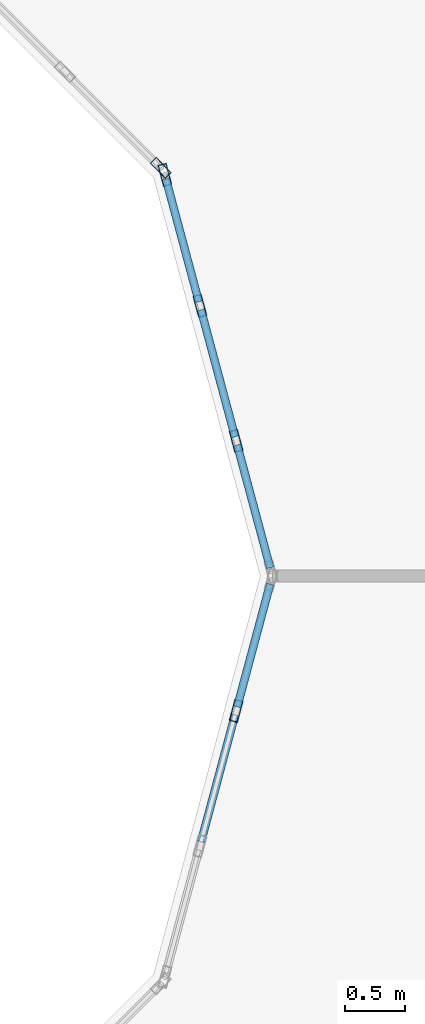
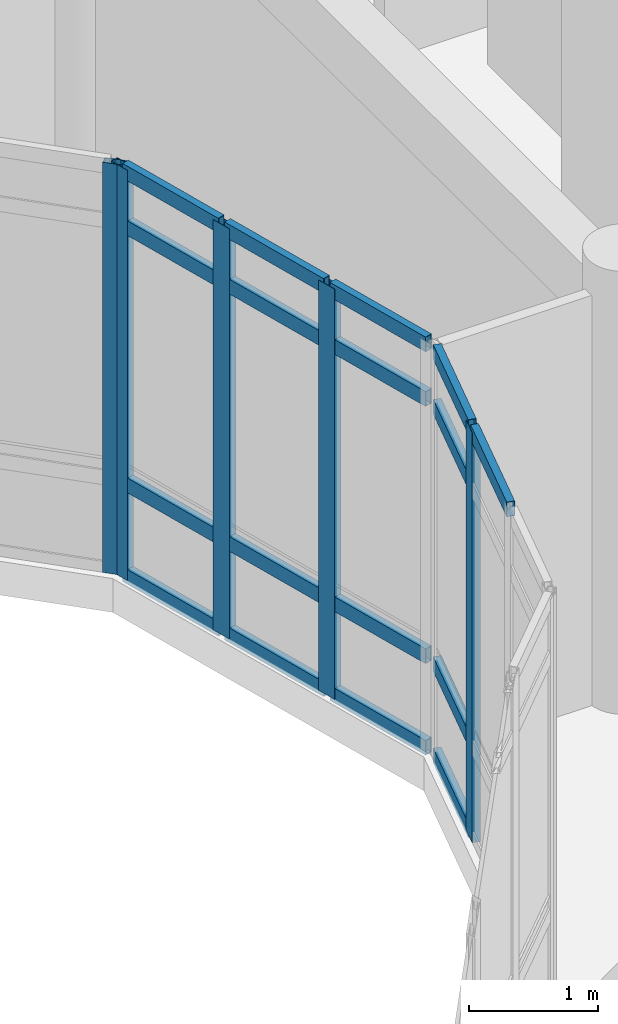
# One storey, part 21 of 119: 22 members, 3 elements without a shape of their own.
"""IFC4 building model written with IfcOpenShell, lengths in metres."""

import ifcopenshell
import ifcopenshell.guid

model = None  # the IFC model being written
_history = None  # IfcOwnerHistory: only IFC2X3 demands one
_inside = {}  # id of a spatial element -> (the spatial element, [elements in it])
_under = {}  # id of a project, library or spatial element -> (it, [spatial elements below it])
_declared = {}  # id of a project -> (the project, [libraries it declares])
_typed = {}  # id of a type object -> (the type object, [elements of that type])
_made_of = {}  # id of a material, layer set ... -> (it, [elements and type objects made of it])


def new_model(schema):
    """Start an empty IFC model of exactly this schema.

    Asked for "IFC4X3", IfcOpenShell would pick the latest addendum, in which some entities
    have other attributes; the version numbers below select the first issue.
    IFC2X3 requires an IfcOwnerHistory on every rooted entity: one is made here for all.
    """
    global model, _history
    if schema == "IFC4X3":
        model = ifcopenshell.file(schema_version=(4, 3, 0, 0))
    else:
        model = ifcopenshell.file(schema=schema)
    _inside.clear()
    _under.clear()
    _declared.clear()
    _typed.clear()
    _made_of.clear()
    _history = None
    if model.schema == "IFC2X3":
        org = make("IfcOrganization", Name="unknown")
        user = make(
            "IfcPersonAndOrganization",
            ThePerson=make("IfcPerson", FamilyName="unknown"),
            TheOrganization=org,
        )
        app = make(
            "IfcApplication",
            ApplicationDeveloper=org,
            Version="unknown",
            ApplicationFullName="unknown",
            ApplicationIdentifier="unknown",
        )
        _history = make(
            "IfcOwnerHistory",
            OwningUser=user,
            OwningApplication=app,
            ChangeAction="ADDED",
            CreationDate=0,
        )
    return model


def make(cls, **values):
    """One entity of the class cls with the attributes given. An attribute that is None is left unset."""
    return model.create_entity(
        cls, **{name: value for name, value in values.items() if value is not None}
    )


def rooted(cls, **values):
    """An entity with a GlobalId (a new one), such as an element, a storey or a relation."""
    return make(cls, GlobalId=ifcopenshell.guid.new(), OwnerHistory=_history, **values)


def si_unit(unit_type, name, prefix=None):
    """IfcSIUnit, for example si_unit("LENGTHUNIT", "METRE", prefix="MILLI")."""
    return make("IfcSIUnit", UnitType=unit_type, Prefix=prefix, Name=name)


def assignment(units):
    """IfcUnitAssignment: the units of a project."""
    return None if units is None else make("IfcUnitAssignment", Units=units)


def point(xyz):
    """IfcCartesianPoint."""
    return None if xyz is None else make("IfcCartesianPoint", Coordinates=xyz)


def direction(xyz):
    """IfcDirection."""
    return None if xyz is None else make("IfcDirection", DirectionRatios=xyz)


def frame(location, z_axis=None, x_axis=None):
    """IfcAxis2Placement3D, a coordinate frame: its origin and axes. An axis left out is left unset."""
    return make(
        "IfcAxis2Placement3D",
        Location=point(location),
        Axis=direction(z_axis),
        RefDirection=direction(x_axis),
    )


def frame_2d(location, x_axis=None):
    """IfcAxis2Placement2D, a coordinate frame in the plane: its origin and x axis."""
    return make(
        "IfcAxis2Placement2D", Location=point(location), RefDirection=direction(x_axis)
    )


def origin():
    """The frame at (0, 0, 0) with its axes left unset."""
    return frame((0.0, 0.0, 0.0))


def origin_2d():
    """The frame at (0, 0) in the plane with its x axis left unset."""
    return frame_2d((0.0, 0.0))


def place(relative_to, where):
    """IfcLocalPlacement: puts the frame where relative to a parent placement (None: the world)."""
    return make(
        "IfcLocalPlacement", PlacementRelTo=relative_to, RelativePlacement=where
    )


def context(
    kind, dimensions, precision=None, world=None, true_north=None, identifier=None
):
    """IfcGeometricRepresentationContext, for example the 3D "Model" context."""
    return make(
        "IfcGeometricRepresentationContext",
        ContextIdentifier=identifier,
        ContextType=kind,
        CoordinateSpaceDimension=dimensions,
        Precision=precision,
        WorldCoordinateSystem=world,
        TrueNorth=true_north,
    )


def subcontext(parent, identifier, kind, view, scale=None):
    """IfcGeometricRepresentationSubContext, for example "Body" below "Model"."""
    return make(
        "IfcGeometricRepresentationSubContext",
        ContextIdentifier=identifier,
        ContextType=kind,
        ParentContext=parent,
        TargetScale=scale,
        TargetView=view,
    )


def project(units=None, contexts=None):
    """IfcProject with its units and contexts."""
    return rooted(
        "IfcProject",
        Name="project",
        RepresentationContexts=contexts,
        UnitsInContext=assignment(units),
    )


def spatial(cls, under=None, at=None, **own):
    """A site, building, storey or space (cls), placed at a placement, below another one or the project."""
    s = rooted(cls, ObjectPlacement=at, **own)
    if under is not None:
        _under.setdefault(under.id(), (under, []))[1].append(s)
    return s


def profile(cls, at=None, kind="AREA", **sizes):
    """A parametric profile (cls). Its sizes go by their IFC names, for example OverallWidth=200.0."""
    return make(cls, ProfileType=kind, Position=at, **sizes)


def hollow_rectangle(**sizes):
    """IfcRectangleHollowProfileDef."""
    return profile("IfcRectangleHollowProfileDef", **sizes)


def extrude(swept, where, along, depth):
    """IfcExtrudedAreaSolid: the profile swept, set in the frame where, extruded along a direction by depth."""
    return make(
        "IfcExtrudedAreaSolid",
        SweptArea=swept,
        Position=where,
        ExtrudedDirection=direction(along),
        Depth=depth,
    )


def shape(context_of_items, identifier, shape_type, items):
    """IfcShapeRepresentation: the items that make up one representation, for example the "Body"."""
    return make(
        "IfcShapeRepresentation",
        ContextOfItems=context_of_items,
        RepresentationIdentifier=identifier,
        RepresentationType=shape_type,
        Items=items,
    )


def material(Name=None, Category=None):
    """IfcMaterial."""
    return make("IfcMaterial", Name=Name, Category=Category)


def layer(
    of_material, thickness, ventilated=None, Name=None, Category=None, Priority=None
):
    """IfcMaterialLayer: one layer of a wall or slab, of a material (None: an air gap)."""
    return make(
        "IfcMaterialLayer",
        Material=of_material,
        LayerThickness=thickness,
        IsVentilated=ventilated,
        Name=Name,
        Category=Category,
        Priority=Priority,
    )


def layer_set(layers, Name=None):
    """IfcMaterialLayerSet."""
    return make("IfcMaterialLayerSet", MaterialLayers=layers, LayerSetName=Name)


def material_profile(
    of_material, cross_section, Name=None, Category=None, Priority=None
):
    """IfcMaterialProfile: a cross section and its material."""
    return make(
        "IfcMaterialProfile",
        Name=Name,
        Material=of_material,
        Profile=cross_section,
        Priority=Priority,
        Category=Category,
    )


def profile_set(profiles, Name=None, composite=None):
    """IfcMaterialProfileSet."""
    return make(
        "IfcMaterialProfileSet",
        Name=Name,
        MaterialProfiles=profiles,
        CompositeProfile=composite,
    )


def made_of(thing, what):
    """Note that an element or type object is made of a material, layer set ...; save() writes the relation."""
    if what is not None:
        _made_of.setdefault(what.id(), (what, []))[1].append(thing)
    return thing


def type_object(cls, material=None, **own):
    """A type object (cls), such as IfcWallType, which elements share."""
    return made_of(rooted(cls, **own), material)


def element(
    cls,
    number,
    at=None,
    inside=None,
    cuts=None,
    type_object=None,
    material=None,
    context=None,
    identifier="Body",
    shape_type=None,
    held_by="IfcProductDefinitionShape",
    body=None,
    shapes=None,
    **own,
):
    """One element of the class cls, such as IfcWall. Its Tag is "e" and its number.

    at: its placement. inside: the storey or other place that contains it. cuts: it is an
    opening in that element (IfcRelVoidsElement). A single representation is given by context,
    identifier, shape_type and body (its items); several are given by shapes. held_by: the class
    of the entity that holds the representations. save() writes the other relations.
    """
    e = rooted(cls, Tag="e%d" % number, ObjectPlacement=at, **own)
    if body is not None:
        shapes = [shape(context, identifier, shape_type, body)]
    if shapes is not None:
        e.Representation = make(held_by, Representations=shapes)
    if inside is not None:
        _inside.setdefault(inside.id(), (inside, []))[1].append(e)
    if cuts is not None:
        rooted(
            "IfcRelVoidsElement", RelatingBuildingElement=cuts, RelatedOpeningElement=e
        )
    if type_object is not None:
        _typed.setdefault(type_object.id(), (type_object, []))[1].append(e)
    return made_of(e, material)


def aggregate(whole, parts):
    """IfcRelAggregates: a whole, such as a stair, and the parts it consists of."""
    return rooted("IfcRelAggregates", RelatingObject=whole, RelatedObjects=parts)


def save(model, path):
    """Write the relations noted so far, then the file.

    IfcRelAggregates (storeys below a building ...), IfcRelContainedInSpatialStructure (elements
    in a storey), IfcRelDefinesByType, IfcRelAssociatesMaterial and IfcRelDeclares: one each for
    every whole, place, type object, material and project.
    """
    for whole, parts in _under.values():
        aggregate(whole, parts)
    for where, things in _inside.values():
        rooted(
            "IfcRelContainedInSpatialStructure",
            RelatedElements=things,
            RelatingStructure=where,
        )
    for kind, things in _typed.values():
        rooted("IfcRelDefinesByType", RelatedObjects=things, RelatingType=kind)
    for what, things in _made_of.values():
        rooted("IfcRelAssociatesMaterial", RelatedObjects=things, RelatingMaterial=what)
    for by, libraries in _declared.values():
        rooted("IfcRelDeclares", RelatingContext=by, RelatedDefinitions=libraries)
    model.write(path)


model = new_model("IFC4")

# Units and contexts
model_context = context("Model", 3, precision=1e-05, world=origin(), true_north=direction((0.0, 1.0)))
body_context = subcontext(model_context, "Body", "Model", "MODEL_VIEW")
ifc_project = project(units=[si_unit("LENGTHUNIT", "METRE"), si_unit("AREAUNIT", "SQUARE_METRE"), si_unit("VOLUMEUNIT", "CUBIC_METRE"), si_unit("PLANEANGLEUNIT", "RADIAN"), si_unit("MASSUNIT", "GRAM", prefix="KILO")], contexts=[model_context])

# Site, building, storey
site_placement = place(None, origin())
site = spatial("IfcSite", under=ifc_project, at=site_placement, CompositionType="ELEMENT")
building_placement = place(site_placement, origin())
building = spatial("IfcBuilding", under=site, at=building_placement, Name="Bramfleet General Hospital", CompositionType="ELEMENT")
storey_placement = place(building_placement, frame((0.0, 0.0, 14.39990234375)))
storey = spatial("IfcBuildingStorey", under=building, at=storey_placement, Name="L03", CompositionType="ELEMENT", Elevation=14.39990234375)

# Curtain wall, member
ifc_material_1 = material(Name="Anodised aluminium and low-E triple glazing", Category="aluminium")
ifc_layer_1 = layer(ifc_material_1, 0.179931640625, Name="CWT-CW-14")
ifc_layer_set_1 = layer_set([ifc_layer_1], Name="Anodised aluminium and low-E triple glazing")
curtain_wall_type_1 = type_object("IfcCurtainWallType", Name="CWT-CW-14", PredefinedType="USERDEFINED", material=ifc_layer_set_1)
curtain_wall_1_placement = place(storey_placement, origin())
curtain_wall_1 = element("IfcCurtainWall", 1, at=curtain_wall_1_placement, inside=storey, type_object=curtain_wall_type_1, Name="L03 West Clinical Light Court Curtain Wall 6.1", ObjectType="Stick curtain wall", PredefinedType="USERDEFINED")
ifc_material_2 = material(Name="Anodised aluminium EN AW-6060", Category="aluminium")
ifc_material_profile_1 = material_profile(ifc_material_2, hollow_rectangle(XDim=0.070068359375, YDim=0.179931640625, WallThickness=0.00390625, at=origin_2d()), Name="ALU 180x70x4.0")
ifc_profile_set_1 = profile_set([ifc_material_profile_1], Name="Anodised aluminium EN AW-6060")
member_type_1 = type_object("IfcMemberType", Name="CWM-ALU180", PredefinedType="MULLION", material=ifc_profile_set_1)
member_1_placement = place(storey_placement, frame((31.6005859375, 82.88330078125, 0.0), z_axis=(0.0, 0.0, 1.0), x_axis=(-0.965899136003, 0.25891863407, 0.0)))
member_1 = element("IfcMember", 2, at=member_1_placement, type_object=member_type_1, Name="CW-14 mullion 3", PredefinedType="MULLION", context=body_context, shape_type="SweptSolid", body=[
    extrude(hollow_rectangle(XDim=0.070068359375, YDim=0.179931640625, WallThickness=0.00390625, at=origin_2d()), origin(), (0.0, 0.0, 1.0), 3.89013671875),
])

# Curtain wall, members
ifc_layer_2 = layer(ifc_material_1, 0.179931640625, Name="CWT-CW-15")
ifc_layer_set_2 = layer_set([ifc_layer_2], Name="Anodised aluminium and low-E triple glazing")
curtain_wall_type_2 = type_object("IfcCurtainWallType", Name="CWT-CW-15", PredefinedType="USERDEFINED", material=ifc_layer_set_2)
curtain_wall_2_placement = place(storey_placement, origin())
curtain_wall_2 = element("IfcCurtainWall", 3, at=curtain_wall_2_placement, inside=storey, type_object=curtain_wall_type_2, Name="L03 West Clinical Light Court Curtain Wall 7.1", ObjectType="Stick curtain wall", PredefinedType="USERDEFINED")
member_2_placement = place(storey_placement, frame((31.6005859375, 85.11669921875, 0.0), z_axis=(0.0, 0.0, 1.0), x_axis=(-0.965899136003, -0.25891863407, 0.0)))
member_2 = element("IfcMember", 4, at=member_2_placement, type_object=member_type_1, Name="CW-15 mullion 2", PredefinedType="MULLION", context=body_context, shape_type="SweptSolid", body=[
    extrude(hollow_rectangle(XDim=0.070068359375, YDim=0.179931640625, WallThickness=0.00390625, at=origin_2d()), origin(), (0.0, 0.0, 1.0), 3.89013671875),
])
member_3_placement = place(storey_placement, frame((31.30126953125, 86.2333984375, 0.0), z_axis=(0.0, 0.0, 1.0), x_axis=(-0.965899136003, -0.25891863407, 0.0)))
member_3 = element("IfcMember", 5, at=member_3_placement, type_object=member_type_1, Name="CW-15 mullion 3", PredefinedType="MULLION", context=body_context, shape_type="SweptSolid", body=[
    extrude(hollow_rectangle(XDim=0.070068359375, YDim=0.179931640625, WallThickness=0.00390625, at=origin_2d()), origin(), (0.0, 0.0, 1.0), 3.89013671875),
])
member_4_placement = place(storey_placement, frame((31.010986328125, 87.316162109375, 0.0), z_axis=(0.0, 0.0, 1.0), x_axis=(-0.965899136003, -0.25891863407, 0.0)))
member_4 = element("IfcMember", 6, at=member_4_placement, type_object=member_type_1, Name="CW-15 mullion 4", PredefinedType="MULLION", context=body_context, shape_type="SweptSolid", body=[
    extrude(hollow_rectangle(XDim=0.070068359375, YDim=0.179931640625, WallThickness=0.00390625, at=origin_2d()), origin(), (0.0, 0.0, 1.0), 3.89013671875),
])

# Curtain wall, member
ifc_layer_3 = layer(ifc_material_1, 0.179931640625, Name="CWT-CW-16")
ifc_layer_set_3 = layer_set([ifc_layer_3], Name="Anodised aluminium and low-E triple glazing")
curtain_wall_type_3 = type_object("IfcCurtainWallType", Name="CWT-CW-16", PredefinedType="USERDEFINED", material=ifc_layer_set_3)
curtain_wall_3_placement = place(storey_placement, origin())
curtain_wall_3 = element("IfcCurtainWall", 7, at=curtain_wall_3_placement, inside=storey, type_object=curtain_wall_type_3, Name="L03 West Clinical Light Court Curtain Wall 8.1", ObjectType="Stick curtain wall", PredefinedType="USERDEFINED")
member_5_placement = place(storey_placement, frame((30.977294921875, 87.374755859375, 0.0), z_axis=(0.0, 0.0, 1.0), x_axis=(-0.707106781187, -0.707106781187, 0.0)))
member_5 = element("IfcMember", 8, at=member_5_placement, type_object=member_type_1, Name="CW-16 mullion 1", PredefinedType="MULLION", context=body_context, shape_type="SweptSolid", body=[
    extrude(hollow_rectangle(XDim=0.070068359375, YDim=0.179931640625, WallThickness=0.00390625, at=origin_2d()), origin(), (0.0, 0.0, 1.0), 3.89013671875),
])
aggregate(curtain_wall_3, [member_5])

# Member
ifc_material_profile_2 = material_profile(ifc_material_2, hollow_rectangle(XDim=0.06494140625, YDim=0.139892578125, WallThickness=0.00390625, at=origin_2d()), Name="ALU 140x65x4.0")
ifc_profile_set_2 = profile_set([ifc_material_profile_2], Name="Anodised aluminium EN AW-6060")
member_type_2 = type_object("IfcMemberType", Name="CWT-ALU140", PredefinedType="USERDEFINED", material=ifc_profile_set_2)
member_6_placement = place(storey_placement, frame((31.310302734375, 81.800537109375, 3.857666015625), z_axis=(0.258949558843, 0.965890845787, 0.0), x_axis=(-0.965890845787, 0.258949558843, 0.0)))
member_6 = element("IfcMember", 9, at=member_6_placement, type_object=member_type_2, Name="CW-14 transom 2.4", ObjectType="TRANSOM", PredefinedType="USERDEFINED", context=body_context, shape_type="SweptSolid", body=[
    extrude(hollow_rectangle(XDim=0.06494140625, YDim=0.139892578125, WallThickness=0.00390625, at=origin_2d()), origin(), (0.0, 0.0, 1.0), 1.086181640625),
])

member_7_placement = place(storey_placement, frame((31.609619140625, 82.917236328125, 0.03271484375), z_axis=(0.259007003236, 0.965875443458, 0.0), x_axis=(-0.965875443458, 0.259007003236, 0.0)))
member_7 = element("IfcMember", 10, at=member_7_placement, type_object=member_type_2, Name="CW-14 transom 3.1", ObjectType="TRANSOM", PredefinedType="USERDEFINED", context=body_context, shape_type="SweptSolid", body=[
    extrude(hollow_rectangle(XDim=0.06494140625, YDim=0.139892578125, WallThickness=0.00390625, at=origin_2d()), origin(), (0.0, 0.0, 1.0), 1.051025390625),
])

member_8_placement = place(storey_placement, frame((31.609619140625, 82.917236328125, 0.900146484375), z_axis=(0.259007003236, 0.965875443458, 0.0), x_axis=(-0.965875443458, 0.259007003236, 0.0)))
member_8 = element("IfcMember", 11, at=member_8_placement, type_object=member_type_2, Name="CW-14 transom 3.2", ObjectType="TRANSOM", PredefinedType="USERDEFINED", context=body_context, shape_type="SweptSolid", body=[
    extrude(hollow_rectangle(XDim=0.06494140625, YDim=0.139892578125, WallThickness=0.00390625, at=origin_2d()), origin(), (0.0, 0.0, 1.0), 1.051025390625),
])

member_9_placement = place(storey_placement, frame((31.609619140625, 82.917236328125, 3.340087890625), z_axis=(0.259007003236, 0.965875443458, 0.0), x_axis=(-0.965875443458, 0.259007003236, 0.0)))
member_9 = element("IfcMember", 12, at=member_9_placement, type_object=member_type_2, Name="CW-14 transom 3.3", ObjectType="TRANSOM", PredefinedType="USERDEFINED", context=body_context, shape_type="SweptSolid", body=[
    extrude(hollow_rectangle(XDim=0.06494140625, YDim=0.139892578125, WallThickness=0.00390625, at=origin_2d()), origin(), (0.0, 0.0, 1.0), 1.051025390625),
])

member_10_placement = place(storey_placement, frame((31.609619140625, 82.917236328125, 3.857666015625), z_axis=(0.259007003236, 0.965875443458, 0.0), x_axis=(-0.965875443458, 0.259007003236, 0.0)))
member_10 = element("IfcMember", 13, at=member_10_placement, type_object=member_type_2, Name="CW-14 transom 3.4", ObjectType="TRANSOM", PredefinedType="USERDEFINED", context=body_context, shape_type="SweptSolid", body=[
    extrude(hollow_rectangle(XDim=0.06494140625, YDim=0.139892578125, WallThickness=0.00390625, at=origin_2d()), origin(), (0.0, 0.0, 1.0), 1.051025390625),
])

aggregate(curtain_wall_1, [member_1, member_6, member_7, member_8, member_9, member_10])

member_11_placement = place(storey_placement, frame((31.8818359375, 84.067626953125, 0.03271484375), z_axis=(-0.259007003236, 0.965875443458, 0.0), x_axis=(-0.965875443458, -0.259007003236, 0.0)))
member_11 = element("IfcMember", 14, at=member_11_placement, type_object=member_type_2, Name="CW-15 transom 1.1", ObjectType="TRANSOM", PredefinedType="USERDEFINED", context=body_context, shape_type="SweptSolid", body=[
    extrude(hollow_rectangle(XDim=0.06494140625, YDim=0.139892578125, WallThickness=0.00390625, at=origin_2d()), origin(), (0.0, 0.0, 1.0), 1.051025390625),
])

member_12_placement = place(storey_placement, frame((31.8818359375, 84.067626953125, 0.900146484375), z_axis=(-0.259007003236, 0.965875443458, 0.0), x_axis=(-0.965875443458, -0.259007003236, 0.0)))
member_12 = element("IfcMember", 15, at=member_12_placement, type_object=member_type_2, Name="CW-15 transom 1.2", ObjectType="TRANSOM", PredefinedType="USERDEFINED", context=body_context, shape_type="SweptSolid", body=[
    extrude(hollow_rectangle(XDim=0.06494140625, YDim=0.139892578125, WallThickness=0.00390625, at=origin_2d()), origin(), (0.0, 0.0, 1.0), 1.051025390625),
])

member_13_placement = place(storey_placement, frame((31.8818359375, 84.067626953125, 3.340087890625), z_axis=(-0.259007003236, 0.965875443458, 0.0), x_axis=(-0.965875443458, -0.259007003236, 0.0)))
member_13 = element("IfcMember", 16, at=member_13_placement, type_object=member_type_2, Name="CW-15 transom 1.3", ObjectType="TRANSOM", PredefinedType="USERDEFINED", context=body_context, shape_type="SweptSolid", body=[
    extrude(hollow_rectangle(XDim=0.06494140625, YDim=0.139892578125, WallThickness=0.00390625, at=origin_2d()), origin(), (0.0, 0.0, 1.0), 1.051025390625),
])

member_14_placement = place(storey_placement, frame((31.8818359375, 84.067626953125, 3.857666015625), z_axis=(-0.259007003236, 0.965875443458, 0.0), x_axis=(-0.965875443458, -0.259007003236, 0.0)))
member_14 = element("IfcMember", 17, at=member_14_placement, type_object=member_type_2, Name="CW-15 transom 1.4", ObjectType="TRANSOM", PredefinedType="USERDEFINED", context=body_context, shape_type="SweptSolid", body=[
    extrude(hollow_rectangle(XDim=0.06494140625, YDim=0.139892578125, WallThickness=0.00390625, at=origin_2d()), origin(), (0.0, 0.0, 1.0), 1.051025390625),
])

member_15_placement = place(storey_placement, frame((31.591552734375, 85.150390625, 0.03271484375), z_axis=(-0.258949558843, 0.965890845787, 0.0), x_axis=(-0.965890845787, -0.258949558843, 0.0)))
member_15 = element("IfcMember", 18, at=member_15_placement, type_object=member_type_2, Name="CW-15 transom 2.1", ObjectType="TRANSOM", PredefinedType="USERDEFINED", context=body_context, shape_type="SweptSolid", body=[
    extrude(hollow_rectangle(XDim=0.06494140625, YDim=0.139892578125, WallThickness=0.00390625, at=origin_2d()), origin(), (0.0, 0.0, 1.0), 1.086181640625),
])

member_16_placement = place(storey_placement, frame((31.591552734375, 85.150390625, 0.900146484375), z_axis=(-0.258949558843, 0.965890845787, 0.0), x_axis=(-0.965890845787, -0.258949558843, 0.0)))
member_16 = element("IfcMember", 19, at=member_16_placement, type_object=member_type_2, Name="CW-15 transom 2.2", ObjectType="TRANSOM", PredefinedType="USERDEFINED", context=body_context, shape_type="SweptSolid", body=[
    extrude(hollow_rectangle(XDim=0.06494140625, YDim=0.139892578125, WallThickness=0.00390625, at=origin_2d()), origin(), (0.0, 0.0, 1.0), 1.086181640625),
])

member_17_placement = place(storey_placement, frame((31.591552734375, 85.150390625, 3.340087890625), z_axis=(-0.258949558843, 0.965890845787, 0.0), x_axis=(-0.965890845787, -0.258949558843, 0.0)))
member_17 = element("IfcMember", 20, at=member_17_placement, type_object=member_type_2, Name="CW-15 transom 2.3", ObjectType="TRANSOM", PredefinedType="USERDEFINED", context=body_context, shape_type="SweptSolid", body=[
    extrude(hollow_rectangle(XDim=0.06494140625, YDim=0.139892578125, WallThickness=0.00390625, at=origin_2d()), origin(), (0.0, 0.0, 1.0), 1.086181640625),
])

member_18_placement = place(storey_placement, frame((31.591552734375, 85.150390625, 3.857666015625), z_axis=(-0.258949558843, 0.965890845787, 0.0), x_axis=(-0.965890845787, -0.258949558843, 0.0)))
member_18 = element("IfcMember", 21, at=member_18_placement, type_object=member_type_2, Name="CW-15 transom 2.4", ObjectType="TRANSOM", PredefinedType="USERDEFINED", context=body_context, shape_type="SweptSolid", body=[
    extrude(hollow_rectangle(XDim=0.06494140625, YDim=0.139892578125, WallThickness=0.00390625, at=origin_2d()), origin(), (0.0, 0.0, 1.0), 1.086181640625),
])

member_19_placement = place(storey_placement, frame((31.292236328125, 86.26708984375, 0.03271484375), z_axis=(-0.258948903342, 0.965891021523, 0.0), x_axis=(-0.965891021523, -0.258948903342, 0.0)))
member_19 = element("IfcMember", 22, at=member_19_placement, type_object=member_type_2, Name="CW-15 transom 3.1", ObjectType="TRANSOM", PredefinedType="USERDEFINED", context=body_context, shape_type="SweptSolid", body=[
    extrude(hollow_rectangle(XDim=0.06494140625, YDim=0.139892578125, WallThickness=0.00390625, at=origin_2d()), origin(), (0.0, 0.0, 1.0), 1.05126953125),
])

member_20_placement = place(storey_placement, frame((31.292236328125, 86.26708984375, 0.900146484375), z_axis=(-0.258948903342, 0.965891021523, 0.0), x_axis=(-0.965891021523, -0.258948903342, 0.0)))
member_20 = element("IfcMember", 23, at=member_20_placement, type_object=member_type_2, Name="CW-15 transom 3.2", ObjectType="TRANSOM", PredefinedType="USERDEFINED", context=body_context, shape_type="SweptSolid", body=[
    extrude(hollow_rectangle(XDim=0.06494140625, YDim=0.139892578125, WallThickness=0.00390625, at=origin_2d()), origin(), (0.0, 0.0, 1.0), 1.05126953125),
])

member_21_placement = place(storey_placement, frame((31.292236328125, 86.26708984375, 3.340087890625), z_axis=(-0.258948903342, 0.965891021523, 0.0), x_axis=(-0.965891021523, -0.258948903342, 0.0)))
member_21 = element("IfcMember", 24, at=member_21_placement, type_object=member_type_2, Name="CW-15 transom 3.3", ObjectType="TRANSOM", PredefinedType="USERDEFINED", context=body_context, shape_type="SweptSolid", body=[
    extrude(hollow_rectangle(XDim=0.06494140625, YDim=0.139892578125, WallThickness=0.00390625, at=origin_2d()), origin(), (0.0, 0.0, 1.0), 1.05126953125),
])

member_22_placement = place(storey_placement, frame((31.292236328125, 86.26708984375, 3.857666015625), z_axis=(-0.258948903342, 0.965891021523, 0.0), x_axis=(-0.965891021523, -0.258948903342, 0.0)))
member_22 = element("IfcMember", 25, at=member_22_placement, type_object=member_type_2, Name="CW-15 transom 3.4", ObjectType="TRANSOM", PredefinedType="USERDEFINED", context=body_context, shape_type="SweptSolid", body=[
    extrude(hollow_rectangle(XDim=0.06494140625, YDim=0.139892578125, WallThickness=0.00390625, at=origin_2d()), origin(), (0.0, 0.0, 1.0), 1.05126953125),
])

aggregate(curtain_wall_2, [member_2, member_3, member_4, member_11, member_12, member_13, member_14, member_15, member_16, member_17, member_18, member_19, member_20, member_21, member_22])

save(model, "model.ifc")
